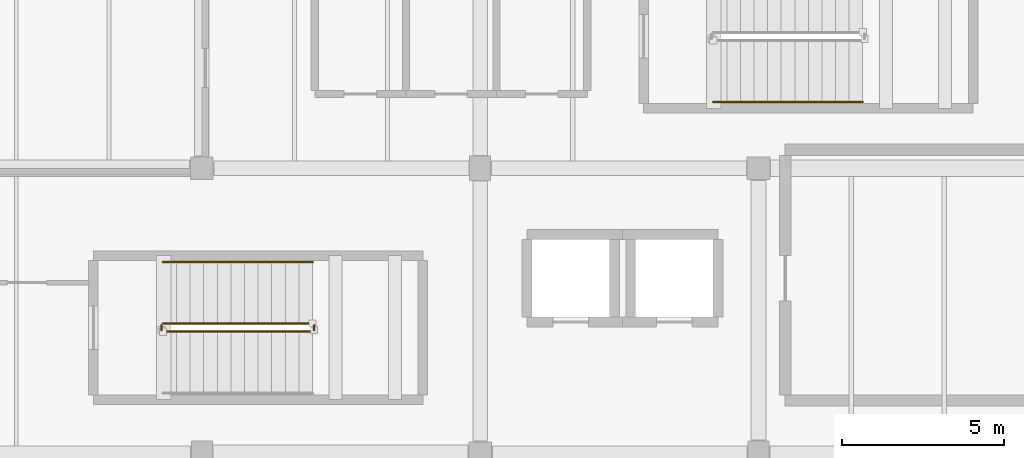
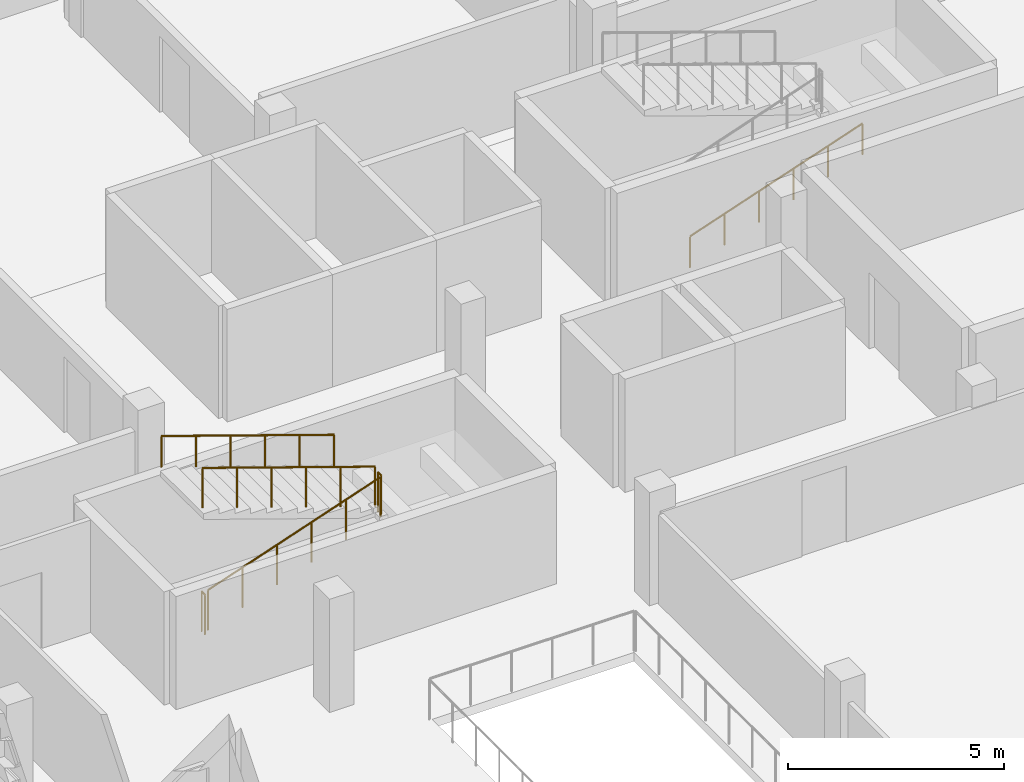
# One storey, part 48 of 55: 6 railings.
"""IFC4 building model written with IfcOpenShell, lengths in metres."""

from ifc_helpers import new_model, si_unit, direction, frame, origin, origin_2d, place, context, subcontext, project, spatial, circle, extrude, material, layer, layer_set, type_object, element, save


model = new_model("IFC4")

# Units and contexts
model_context = context("Model", 3, precision=1e-05, world=origin(), true_north=direction((0.0, 1.0)))
body_context = subcontext(model_context, "Body", "Model", "MODEL_VIEW")
ifc_project = project(units=[si_unit("LENGTHUNIT", "METRE"), si_unit("AREAUNIT", "SQUARE_METRE"), si_unit("VOLUMEUNIT", "CUBIC_METRE"), si_unit("PLANEANGLEUNIT", "RADIAN"), si_unit("MASSUNIT", "GRAM", prefix="KILO")], contexts=[model_context])

# Site, building, storey
site_placement = place(None, origin())
site = spatial("IfcSite", under=ifc_project, at=site_placement, CompositionType="ELEMENT")
building_placement = place(site_placement, origin())
building = spatial("IfcBuilding", under=site, at=building_placement, Name="Varnakota Cinema and Media Centre", CompositionType="ELEMENT")
storey_placement = place(building_placement, frame((0.0, 0.0, 15.60009765625)))
storey = spatial("IfcBuildingStorey", under=building, at=storey_placement, Name="L04", CompositionType="ELEMENT", Elevation=15.60009765625)

# Railings
ifc_material_1 = material(Name="Structural steel Grade 350 (E350)", Category="steel")
ifc_layer_1 = layer(ifc_material_1, 0.050048828125)
ifc_layer_set_1 = layer_set([ifc_layer_1], Name="Structural steel Grade 350 (E350)")
railing_type_1 = type_object("IfcRailingType", Name="RAIL-STAIR-GUARD-1150", PredefinedType="GUARDRAIL", material=ifc_layer_set_1)
railing_1_placement = place(storey_placement, frame((7.39990234375, 21.35009765625, 0.1435546875)))
element("IfcRailing", 1, at=railing_1_placement, inside=storey, type_object=railing_type_1, Name="L04 ST-01 stair guard 1", PredefinedType="GUARDRAIL", context=body_context, shape_type="SweptSolid", body=[
    extrude(circle(Radius=0.02392578125, at=origin_2d()), frame((0.0, 0.0, 1.1259765625), z_axis=(0.946118040162, 0.0, 0.323821948115), x_axis=(0.0, 1.0, 0.0)), (0.0, 0.0, 1.0), 4.88330078125),
    extrude(circle(Radius=0.02099609375, at=origin_2d()), origin(), (0.0, 0.0, 1.0), 1.101806640625),
    extrude(circle(Radius=0.02099609375, at=origin_2d()), frame((0.924072265625, 0.0, 0.316162109375)), (0.0, 0.0, 1.0), 1.101806640625),
    extrude(circle(Radius=0.02099609375, at=origin_2d()), frame((1.84814453125, 0.0, 0.632568359375)), (0.0, 0.0, 1.0), 1.101806640625),
    extrude(circle(Radius=0.02099609375, at=origin_2d()), frame((2.77197265625, 0.0, 0.94873046875)), (0.0, 0.0, 1.0), 1.101806640625),
    extrude(circle(Radius=0.02099609375, at=origin_2d()), frame((3.696044921875, 0.0, 1.26513671875)), (0.0, 0.0, 1.0), 1.101806640625),
    extrude(circle(Radius=0.02099609375, at=origin_2d()), frame((4.6201171875, 0.0, 1.581298828125)), (0.0, 0.0, 1.0), 1.101806640625),
])
railing_2_placement = place(storey_placement, frame((12.070068359375, 21.39990234375, 1.724853515625)))
element("IfcRailing", 2, at=railing_2_placement, inside=storey, type_object=railing_type_1, Name="L04 ST-01 stair guard 2", PredefinedType="GUARDRAIL", context=body_context, shape_type="SweptSolid", body=[
    extrude(circle(Radius=0.02392578125, at=origin_2d()), frame((0.0, 0.0, 1.1259765625), z_axis=(0.0, 1.0, 0.0), x_axis=(-1.0, 0.0, 0.0)), (0.0, 0.0, 1.0), 0.150146484375),
    extrude(circle(Radius=0.02099609375, at=origin_2d()), origin(), (0.0, 0.0, 1.0), 1.101806640625),
    extrude(circle(Radius=0.02099609375, at=origin_2d()), frame((0.0, 0.150146484375, 0.0)), (0.0, 0.0, 1.0), 1.101806640625),
])
railing_3_placement = place(storey_placement, frame((12.02001953125, 21.60009765625, 1.86865234375)))
element("IfcRailing", 3, at=railing_3_placement, inside=storey, type_object=railing_type_1, Name="L04 ST-01 stair guard 3", PredefinedType="GUARDRAIL", context=body_context, shape_type="SweptSolid", body=[
    extrude(circle(Radius=0.02392578125, at=origin_2d()), frame((0.0, 0.0, 1.1259765625), z_axis=(-0.946118040162, 0.0, 0.323821948115), x_axis=(0.0, -1.0, 0.0)), (0.0, 0.0, 1.0), 4.88330078125),
    extrude(circle(Radius=0.02099609375, at=origin_2d()), origin(), (0.0, 0.0, 1.0), 1.101806640625),
    extrude(circle(Radius=0.02099609375, at=origin_2d()), frame((-0.924072265625, 0.0, 0.316162109375)), (0.0, 0.0, 1.0), 1.101806640625),
    extrude(circle(Radius=0.02099609375, at=origin_2d()), frame((-1.84814453125, 0.0, 0.632568359375)), (0.0, 0.0, 1.0), 1.101806640625),
    extrude(circle(Radius=0.02099609375, at=origin_2d()), frame((-2.77197265625, 0.0, 0.94873046875)), (0.0, 0.0, 1.0), 1.101806640625),
    extrude(circle(Radius=0.02099609375, at=origin_2d()), frame((-3.696044921875, 0.0, 1.26513671875)), (0.0, 0.0, 1.0), 1.101806640625),
    extrude(circle(Radius=0.02099609375, at=origin_2d()), frame((-4.6201171875, 0.0, 1.581298828125)), (0.0, 0.0, 1.0), 1.101806640625),
])
railing_4_placement = place(storey_placement, frame((7.35009765625, 21.39990234375, 0.0)))
element("IfcRailing", 4, at=railing_4_placement, inside=storey, type_object=railing_type_1, Name="L04 ST-01 stair guard 4", PredefinedType="GUARDRAIL", context=body_context, shape_type="SweptSolid", body=[
    extrude(circle(Radius=0.02392578125, at=origin_2d()), frame((0.0, 0.0, 1.1259765625), z_axis=(0.0, 1.0, 0.0), x_axis=(-1.0, 0.0, 0.0)), (0.0, 0.0, 1.0), 0.150146484375),
    extrude(circle(Radius=0.02099609375, at=origin_2d()), origin(), (0.0, 0.0, 1.0), 1.101806640625),
    extrude(circle(Radius=0.02099609375, at=origin_2d()), frame((0.0, 0.150146484375, 0.0)), (0.0, 0.0, 1.0), 1.101806640625),
])
ifc_material_2 = material(Name="Structural steel Grade 350 (E350)", Category="steel")
ifc_layer_2 = layer(ifc_material_2, 0.048095703125)
ifc_layer_set_2 = layer_set([ifc_layer_2], Name="Structural steel Grade 350 (E350)")
railing_type_2 = type_object("IfcRailingType", Name="RAIL-STAIR-HAND-900", PredefinedType="HANDRAIL", material=ifc_layer_set_2)
railing_5_placement = place(storey_placement, frame((12.02001953125, 23.5, 1.86865234375)))
element("IfcRailing", 5, at=railing_5_placement, inside=storey, type_object=railing_type_2, Name="L04 ST-01 stair handrail 2", PredefinedType="HANDRAIL", context=body_context, shape_type="SweptSolid", body=[
    extrude(circle(Radius=0.02392578125, at=origin_2d()), frame((0.0, 0.0, 0.8759765625), z_axis=(-0.946118040162, 0.0, 0.323821948115), x_axis=(0.0, -1.0, 0.0)), (0.0, 0.0, 1.0), 4.88330078125),
    extrude(circle(Radius=0.02099609375, at=origin_2d()), origin(), (0.0, 0.0, 1.0), 0.851806640625),
    extrude(circle(Radius=0.02099609375, at=origin_2d()), frame((-0.924072265625, 0.0, 0.316162109375)), (0.0, 0.0, 1.0), 0.851806640625),
    extrude(circle(Radius=0.02099609375, at=origin_2d()), frame((-1.84814453125, 0.0, 0.632568359375)), (0.0, 0.0, 1.0), 0.851806640625),
    extrude(circle(Radius=0.02099609375, at=origin_2d()), frame((-2.77197265625, 0.0, 0.94873046875)), (0.0, 0.0, 1.0), 0.851806640625),
    extrude(circle(Radius=0.02099609375, at=origin_2d()), frame((-3.696044921875, 0.0, 1.26513671875)), (0.0, 0.0, 1.0), 0.851806640625),
    extrude(circle(Radius=0.02099609375, at=origin_2d()), frame((-4.6201171875, 0.0, 1.581298828125)), (0.0, 0.0, 1.0), 0.851806640625),
])
railing_6_placement = place(storey_placement, frame((24.39990234375, 28.449951171875, 0.1435546875)))
element("IfcRailing", 6, at=railing_6_placement, inside=storey, type_object=railing_type_2, Name="L04 ST-02 stair handrail 1", PredefinedType="HANDRAIL", context=body_context, shape_type="SweptSolid", body=[
    extrude(circle(Radius=0.02392578125, at=origin_2d()), frame((0.0, 0.0, 0.8759765625), z_axis=(0.946118040162, 0.0, 0.323821948115), x_axis=(0.0, 1.0, 0.0)), (0.0, 0.0, 1.0), 4.88330078125),
    extrude(circle(Radius=0.02099609375, at=origin_2d()), origin(), (0.0, 0.0, 1.0), 0.851806640625),
    extrude(circle(Radius=0.02099609375, at=origin_2d()), frame((0.924072265625, 0.0, 0.316162109375)), (0.0, 0.0, 1.0), 0.851806640625),
    extrude(circle(Radius=0.02099609375, at=origin_2d()), frame((1.84814453125, 0.0, 0.632568359375)), (0.0, 0.0, 1.0), 0.851806640625),
    extrude(circle(Radius=0.02099609375, at=origin_2d()), frame((2.77197265625, 0.0, 0.94873046875)), (0.0, 0.0, 1.0), 0.851806640625),
    extrude(circle(Radius=0.02099609375, at=origin_2d()), frame((3.696044921875, 0.0, 1.26513671875)), (0.0, 0.0, 1.0), 0.851806640625),
    extrude(circle(Radius=0.02099609375, at=origin_2d()), frame((4.6201171875, 0.0, 1.581298828125)), (0.0, 0.0, 1.0), 0.851806640625),
])

save(model, "model.ifc")
